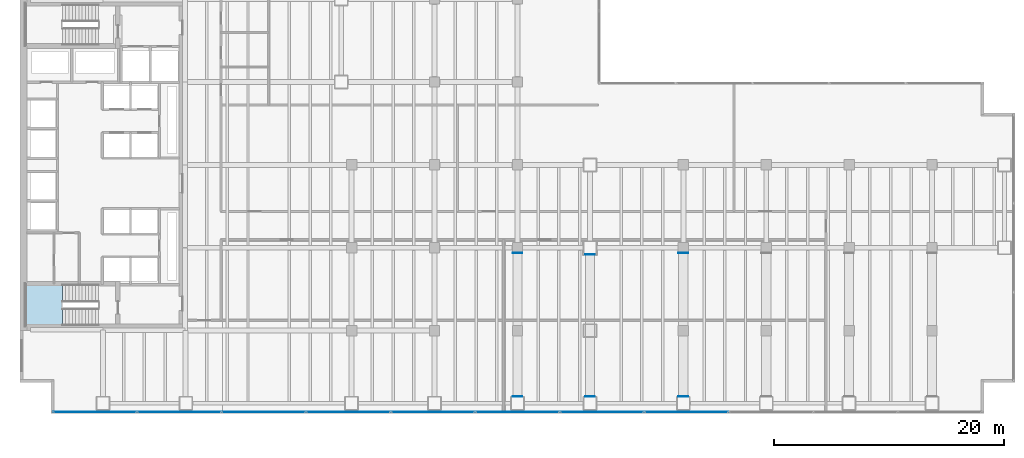
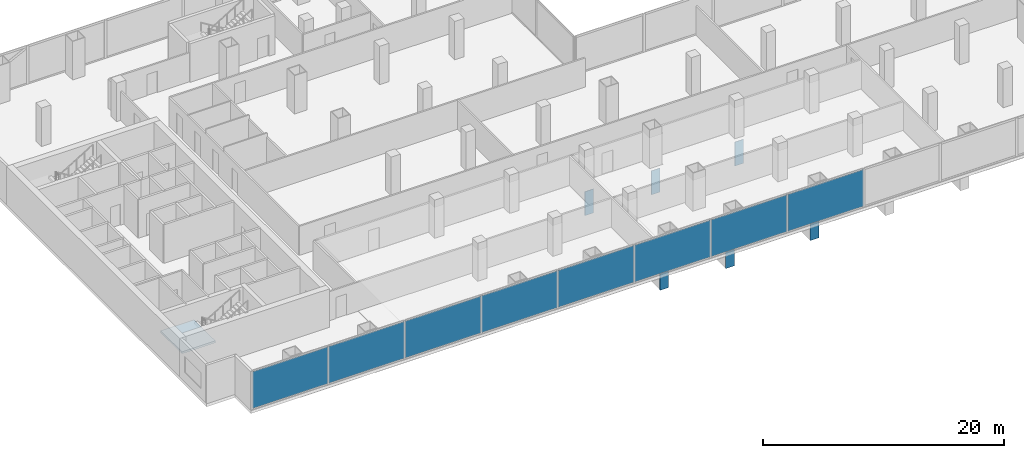
# One storey, part 23 of 34: 14 plates, 1 slab, 2 elements without a shape of their own.
"""IFC4 building model written with IfcOpenShell, lengths in metres."""

from ifc_helpers import new_model, si_unit, direction, frame, origin, origin_2d, place, context, subcontext, project, spatial, polyline, rectangle, outline, extrude, material, layer, layer_set, type_object, element, aggregate, save


model = new_model("IFC4")

# Units and contexts
model_context = context("Model", 3, precision=1e-05, world=origin(), true_north=direction((0.0, 1.0)))
body_context = subcontext(model_context, "Body", "Model", "MODEL_VIEW")
ifc_project = project(units=[si_unit("LENGTHUNIT", "METRE"), si_unit("AREAUNIT", "SQUARE_METRE"), si_unit("VOLUMEUNIT", "CUBIC_METRE"), si_unit("PLANEANGLEUNIT", "RADIAN"), si_unit("MASSUNIT", "GRAM", prefix="KILO")], contexts=[model_context])

# Site, building, storey
site_placement = place(None, origin())
site = spatial("IfcSite", under=ifc_project, at=site_placement, CompositionType="ELEMENT")
building_placement = place(site_placement, origin())
building = spatial("IfcBuilding", under=site, at=building_placement, Name="Cobrela Telecom Tower", CompositionType="ELEMENT")
storey_placement = place(building_placement, frame((0.0, 0.0, 5.25)))
storey = spatial("IfcBuildingStorey", under=building, at=storey_placement, Name="L01", CompositionType="ELEMENT", Elevation=5.25)

# Curtain wall, plates
ifc_material_1 = material(Name="Anodized Bronze Aluminium 6063-T6", Category="aluminium")
curtain_wall_type = type_object("IfcCurtainWallType", Name="CW-SYS-CONC", PredefinedType="USERDEFINED", material=ifc_material_1)
curtain_wall_placement = place(storey_placement, origin())
curtain_wall = element("IfcCurtainWall", 1, at=curtain_wall_placement, inside=storey, type_object=curtain_wall_type, Name="L01 Unitised Bronze Curtain Wall 17", ObjectType="UNITISED CURTAIN WALL", PredefinedType="USERDEFINED")
ifc_material_2 = material(Name="Solar-Control Bronze Low-E Glass", Category="glass")
ifc_layer_1 = layer(ifc_material_2, 0.0419921875)
ifc_layer_set_1 = layer_set([ifc_layer_1], Name="Solar-Control Bronze Low-E Glass")
plate_type_1 = type_object("IfcPlateType", Name="CW-SYS-CONC-PNL", PredefinedType="CURTAIN_PANEL", material=ifc_layer_set_1)
plate_1_placement = place(storey_placement, frame((57.883544921875, 0.1201171875, 0.080078125), z_axis=(0.0, 0.0, 1.0), x_axis=(-1.0, 0.0, 0.0)))
plate_1 = element("IfcPlate", 2, at=plate_1_placement, type_object=plate_type_1, Name="CW-CONC panel 4.1", PredefinedType="CURTAIN_PANEL", context=body_context, shape_type="SweptSolid", body=[
    extrude(rectangle(XDim=7.26171875, YDim=0.0419921875, at=origin_2d()), origin(), (0.0, 0.0, 1.0), 3.739990234375),
])
plate_2_placement = place(storey_placement, frame((50.541748046875, 0.1201171875, 0.080078125), z_axis=(0.0, 0.0, 1.0), x_axis=(-1.0, 0.0, 0.0)))
plate_2 = element("IfcPlate", 3, at=plate_2_placement, type_object=plate_type_1, Name="CW-CONC panel 5.1", PredefinedType="CURTAIN_PANEL", context=body_context, shape_type="SweptSolid", body=[
    extrude(rectangle(XDim=7.26171875, YDim=0.0419921875, at=origin_2d()), origin(), (0.0, 0.0, 1.0), 3.739990234375),
])
plate_3_placement = place(storey_placement, frame((43.199951171875, 0.1201171875, 0.080078125), z_axis=(0.0, 0.0, 1.0), x_axis=(-1.0, 0.0, 0.0)))
plate_3 = element("IfcPlate", 4, at=plate_3_placement, type_object=plate_type_1, Name="CW-CONC panel 6.1", PredefinedType="CURTAIN_PANEL", context=body_context, shape_type="SweptSolid", body=[
    extrude(rectangle(XDim=7.26171875, YDim=0.0419921875, at=origin_2d()), origin(), (0.0, 0.0, 1.0), 3.739990234375),
])
plate_4_placement = place(storey_placement, frame((35.858154296875, 0.1201171875, 0.080078125), z_axis=(0.0, 0.0, 1.0), x_axis=(-1.0, 0.0, 0.0)))
plate_4 = element("IfcPlate", 5, at=plate_4_placement, type_object=plate_type_1, Name="CW-CONC panel 7.1", PredefinedType="CURTAIN_PANEL", context=body_context, shape_type="SweptSolid", body=[
    extrude(rectangle(XDim=7.26171875, YDim=0.0419921875, at=origin_2d()), origin(), (0.0, 0.0, 1.0), 3.739990234375),
])
plate_5_placement = place(storey_placement, frame((28.516357421875, 0.1201171875, 0.080078125), z_axis=(0.0, 0.0, 1.0), x_axis=(-1.0, 0.0, 0.0)))
plate_5 = element("IfcPlate", 6, at=plate_5_placement, type_object=plate_type_1, Name="CW-CONC panel 8.1", PredefinedType="CURTAIN_PANEL", context=body_context, shape_type="SweptSolid", body=[
    extrude(rectangle(XDim=7.26171875, YDim=0.0419921875, at=origin_2d()), origin(), (0.0, 0.0, 1.0), 3.739990234375),
])
plate_6_placement = place(storey_placement, frame((21.174560546875, 0.1201171875, 0.080078125), z_axis=(0.0, 0.0, 1.0), x_axis=(-1.0, 0.0, 0.0)))
plate_6 = element("IfcPlate", 7, at=plate_6_placement, type_object=plate_type_1, Name="CW-CONC panel 9.1", PredefinedType="CURTAIN_PANEL", context=body_context, shape_type="SweptSolid", body=[
    extrude(rectangle(XDim=7.26171875, YDim=0.0419921875, at=origin_2d()), origin(), (0.0, 0.0, 1.0), 3.739990234375),
])
plate_7_placement = place(storey_placement, frame((13.832763671875, 0.1201171875, 0.080078125), z_axis=(0.0, 0.0, 1.0), x_axis=(-1.0, 0.0, 0.0)))
plate_7 = element("IfcPlate", 8, at=plate_7_placement, type_object=plate_type_1, Name="CW-CONC panel 10.1", PredefinedType="CURTAIN_PANEL", context=body_context, shape_type="SweptSolid", body=[
    extrude(rectangle(XDim=7.26171875, YDim=0.0419921875, at=origin_2d()), origin(), (0.0, 0.0, 1.0), 3.739990234375),
])
plate_8_placement = place(storey_placement, frame((6.510986328125, 0.1201171875, 0.080078125), z_axis=(0.0, 0.0, 1.0), x_axis=(-1.0, 0.0, 0.0)))
plate_8 = element("IfcPlate", 9, at=plate_8_placement, type_object=plate_type_1, Name="CW-CONC panel 11.1", PredefinedType="CURTAIN_PANEL", context=body_context, shape_type="SweptSolid", body=[
    extrude(rectangle(XDim=7.221923828125, YDim=0.0419921875, at=origin_2d()), origin(), (0.0, 0.0, 1.0), 3.739990234375),
])
aggregate(curtain_wall, [plate_1, plate_2, plate_3, plate_4, plate_5, plate_6, plate_7, plate_8])

# Plates
ifc_material_3 = material(Name="Steel ASTM A572 Grade 50", Category="steel")
ifc_layer_2 = layer(ifc_material_3, 0.048095703125)
ifc_layer_set_2 = layer_set([ifc_layer_2], Name="Steel ASTM A572 Grade 50")
plate_type_2 = type_object("IfcPlateType", Name="PLT-NODE-ND4", PredefinedType="USERDEFINED", material=ifc_layer_set_2)
for number, where, z_axis, x_axis, name in (
    (10, (43.199951171875, 1.485107421875, -2.719970703125), (0.0, 0.0, 1.0), (0.0, 1.0, 0.0), "Steel node plate PLT-BM-L01-BM-TRG-2400-Y-432-015-C0"),
    (11, (43.199951171875, 13.965087890625, -2.719970703125), (0.0, 0.0, 1.0), (0.0, 1.0, 0.0), "Steel node plate PLT-BM-L01-BM-TRG-2400-Y-432-015-C1"),
    (12, (49.5, 1.485107421875, -2.719970703125), (0.0, 0.0, 1.0), (0.0, 1.0, 0.0), "Steel node plate PLT-BM-L01-BM-TRG-2400-Y-495-015-C0"),
    (13, (49.5, 13.81494140625, -2.719970703125), (0.0, 0.0, 1.0), (0.0, 1.0, 0.0), "Steel node plate PLT-BM-L01-BM-TRG-2400-Y-495-015-C1"),
    (14, (57.60009765625, 1.485107421875, -2.719970703125), (0.0, 0.0, 1.0), (0.0, 1.0, 0.0), "Steel node plate PLT-BM-L01-BM-TRG-2400-Y-576-015-C0"),
    (15, (57.60009765625, 13.965087890625, -2.719970703125), (0.0, 0.0, 1.0), (0.0, 1.0, 0.0), "Steel node plate PLT-BM-L01-BM-TRG-2400-Y-576-015-C1"),
):
    element("IfcPlate", number, at=place(storey_placement, frame(where, z_axis=z_axis, x_axis=x_axis)), inside=storey, type_object=plate_type_2, Name=name, ObjectType="GUSSET PLATE", PredefinedType="USERDEFINED", context=body_context, shape_type="SweptSolid", body=[
        extrude(rectangle(XDim=0.044921875, YDim=0.840087890625, at=origin_2d()), origin(), (0.0, 0.0, 1.0), 2.43994140625),
    ])

# Stair, slab
ifc_material_4 = material(Name="Concrete C40/50", Category="concrete")
stair_type = type_object("IfcStairType", Name="STAIR-CORE", PredefinedType="HALF_TURN_STAIR", material=ifc_material_4)
stair_placement = place(storey_placement, origin())
stair = element("IfcStair", 16, at=stair_placement, inside=storey, type_object=stair_type, Name="L01 Smokeproof Exit Stair ST2", PredefinedType="HALF_TURN_STAIR")
ifc_layer_3 = layer(ifc_material_4, 0.199951171875)
ifc_layer_set_3 = layer_set([ifc_layer_3], Name="Concrete C40/50")
slab_type = type_object("IfcSlabType", Name="SLAB-LAND-200", PredefinedType="LANDING", material=ifc_layer_set_3)
slab_placement = place(storey_placement, frame((0.0, 0.0, 1.89990234375)))
slab = element("IfcSlab", 17, at=slab_placement, type_object=slab_type, Name="ST2 landing 1", PredefinedType="LANDING", context=body_context, shape_type="SweptSolid", body=[
    extrude(outline(polyline([(3.68505859375, 11.199951171875), (0.47998046875, 11.199951171875), (0.47998046875, 7.64990234375), (3.68505859375, 7.64990234375), (3.68505859375, 11.199951171875)])), origin(), (0.0, 0.0, 1.0), 0.2001953125),
])
aggregate(stair, [slab])

save(model, "model.ifc")
